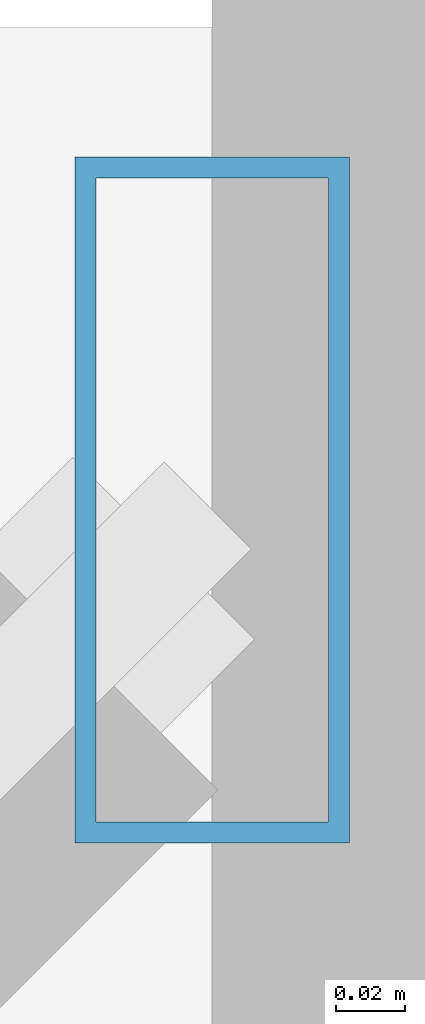
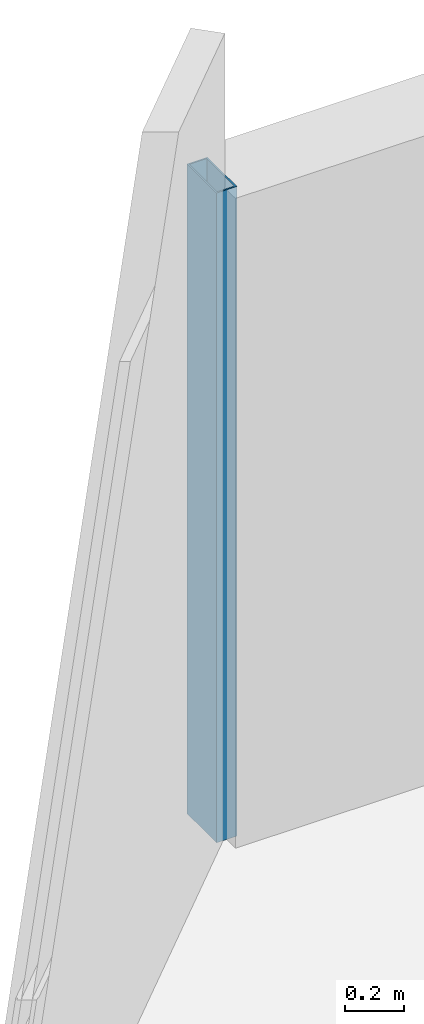
# One storey, part 16 of 33: 1 member, 1 element without a shape of its own.
"""IFC4 building model written with IfcOpenShell, lengths in metres."""

from ifc_helpers import new_model, si_unit, direction, frame, origin, origin_2d, place, context, subcontext, project, spatial, hollow_rectangle, extrude, material, material_profile, profile_set, type_object, element, aggregate, save


model = new_model("IFC4")

# Units and contexts
model_context = context("Model", 3, precision=1e-05, world=origin(), true_north=direction((0.0, 1.0)))
body_context = subcontext(model_context, "Body", "Model", "MODEL_VIEW")
ifc_project = project(units=[si_unit("LENGTHUNIT", "METRE"), si_unit("AREAUNIT", "SQUARE_METRE"), si_unit("VOLUMEUNIT", "CUBIC_METRE"), si_unit("PLANEANGLEUNIT", "RADIAN"), si_unit("MASSUNIT", "GRAM", prefix="KILO")], contexts=[model_context])

# Site, building, storey
site_placement = place(None, origin())
site = spatial("IfcSite", under=ifc_project, at=site_placement, CompositionType="ELEMENT")
building_placement = place(site_placement, origin())
building = spatial("IfcBuilding", under=site, at=building_placement, Name="Thornwick Lancets Civic Towers", CompositionType="ELEMENT")
storey_placement = place(building_placement, frame((0.0, 0.0, 159.89990234375)))
storey = spatial("IfcBuildingStorey", under=building, at=storey_placement, Name="L42", CompositionType="ELEMENT", Elevation=159.89990234375)

# Curtain wall, member
ifc_material_1 = material(Name="Mid-zone chamfered-corner unitised glass curtain wall", Category="glass")
curtain_wall_type = type_object("IfcCurtainWallType", Name="CW_SYS_04", PredefinedType="NOTDEFINED", material=ifc_material_1)
curtain_wall_placement = place(storey_placement, origin())
curtain_wall = element("IfcCurtainWall", 1, at=curtain_wall_placement, inside=storey, type_object=curtain_wall_type, Name="L42 Curtain Wall CW-L42-B-E5", PredefinedType="NOTDEFINED")
ifc_material_2 = material(Name="Thermally broken bronze aluminium S355", Category="steel")
ifc_material_profile = material_profile(ifc_material_2, hollow_rectangle(XDim=0.080078125, YDim=0.199951171875, WallThickness=0.006103515625, at=origin_2d()), Name="RHS 200x80x6")
ifc_profile_set = profile_set([ifc_material_profile], Name="Thermally broken bronze aluminium S355")
member_type = type_object("IfcMemberType", Name="CW_MUL_200", PredefinedType="MULLION", material=ifc_profile_set)
member_placement = place(storey_placement, frame((74.146484375, 50.761962890625, 0.0), z_axis=(0.0, 0.0, 1.0), x_axis=(1.0, 0.0, 0.0)))
member = element("IfcMember", 2, at=member_placement, type_object=member_type, Name="CW-L42-B-E5 Mullion 0", PredefinedType="MULLION", context=body_context, shape_type="SweptSolid", body=[
    extrude(hollow_rectangle(XDim=0.080078125, YDim=0.199951171875, WallThickness=0.006103515625, at=origin_2d()), origin(), (0.0, 0.0, 1.0), 2.7001953125),
])
aggregate(curtain_wall, [member])

save(model, "model.ifc")
